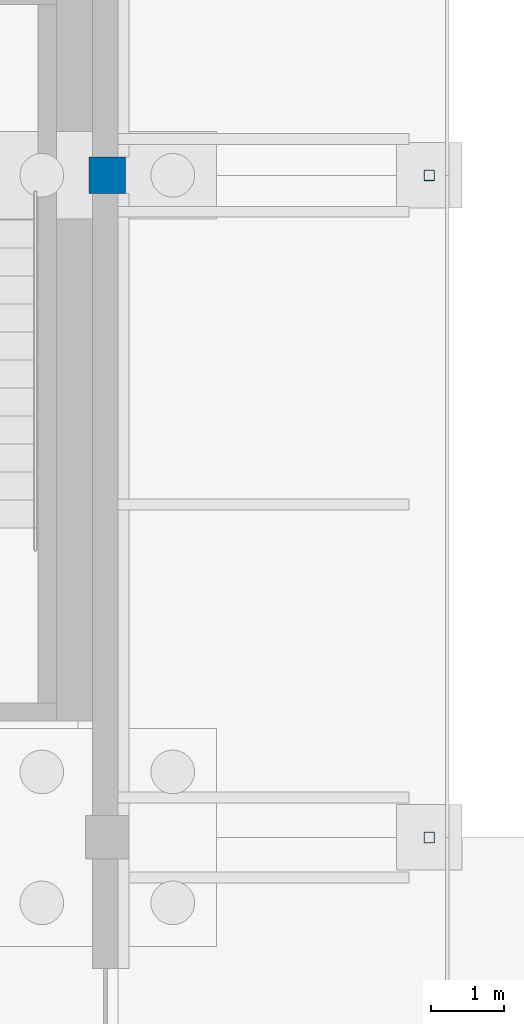
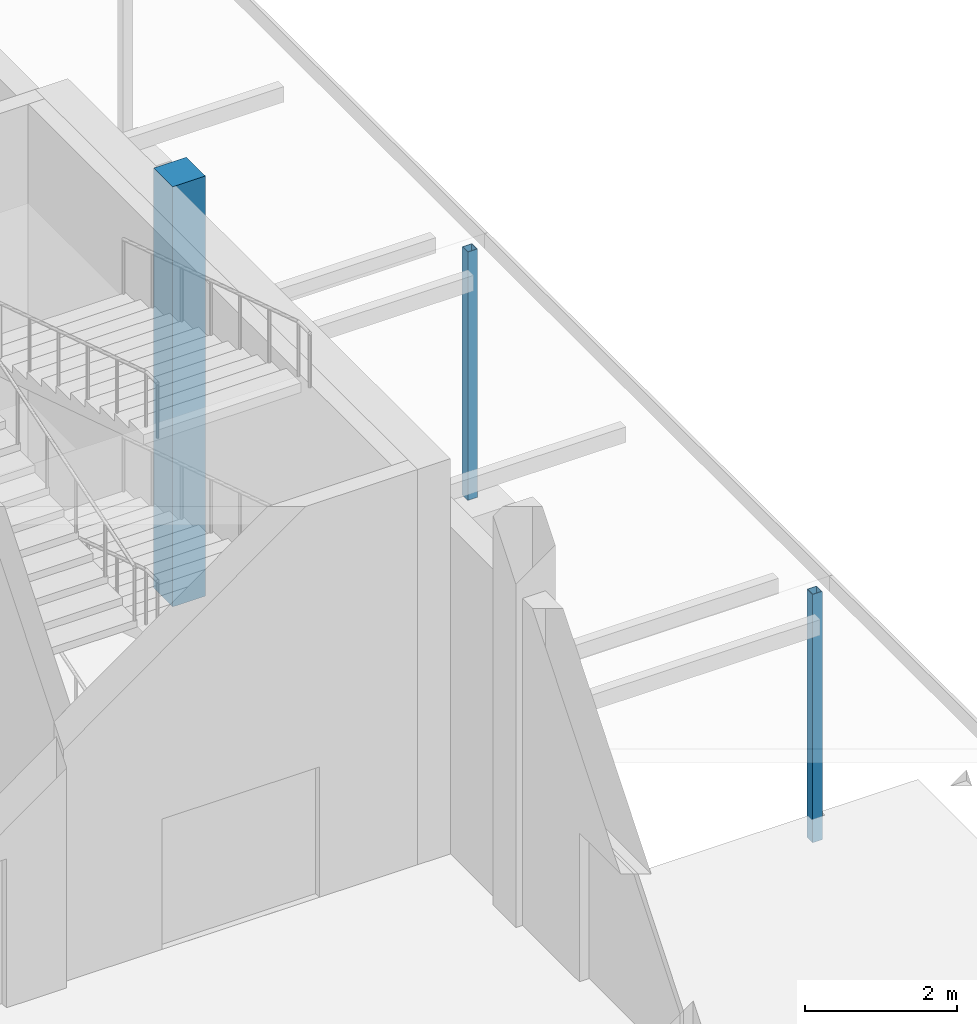
# One storey, part 38 of 129: 3 columns.
"""IFC4 building model written with IfcOpenShell, lengths in metres."""

from ifc_helpers import new_model, si_unit, direction, frame, origin, origin_2d, place, context, subcontext, project, spatial, rectangle, hollow_rectangle, extrude, material, material_profile, profile_set, type_object, element, save


model = new_model("IFC4")

# Units and contexts
model_context = context("Model", 3, precision=1e-05, world=origin(), true_north=direction((0.0, 1.0)))
body_context = subcontext(model_context, "Body", "Model", "MODEL_VIEW")
ifc_project = project(units=[si_unit("LENGTHUNIT", "METRE"), si_unit("AREAUNIT", "SQUARE_METRE"), si_unit("VOLUMEUNIT", "CUBIC_METRE"), si_unit("PLANEANGLEUNIT", "RADIAN"), si_unit("MASSUNIT", "GRAM", prefix="KILO")], contexts=[model_context])

# Site, building, storey
site_placement = place(None, origin())
site = spatial("IfcSite", under=ifc_project, at=site_placement, CompositionType="ELEMENT")
building_placement = place(site_placement, origin())
building = spatial("IfcBuilding", under=site, at=building_placement, Name="Shirokan Park Arena", CompositionType="ELEMENT")
storey_placement = place(building_placement, origin())
storey = spatial("IfcBuildingStorey", under=building, at=storey_placement, Name="L00", CompositionType="ELEMENT", Elevation=0.0)

# Columns
ifc_material_1 = material(Name="Concrete C35", Category="concrete")
ifc_material_profile_1 = material_profile(ifc_material_1, rectangle(XDim=0.5, YDim=0.5, at=origin_2d()), Name="500x500")
ifc_profile_set_1 = profile_set([ifc_material_profile_1], Name="Concrete C35")
column_type_1 = type_object("IfcColumnType", Name="RC column 500x500", PredefinedType="COLUMN", material=ifc_profile_set_1)
column_placement = place(storey_placement, frame((145.60009765625, 27.300048828125, -0.39990234375), z_axis=(0.0, 0.0, 1.0), x_axis=(1.0, 0.0, 0.0)))
element("IfcColumn", 1, at=column_placement, inside=storey, type_object=column_type_1, Name="Column 17D L00", PredefinedType="COLUMN", context=body_context, shape_type="SweptSolid", body=[
    extrude(rectangle(XDim=0.5, YDim=0.5, at=origin_2d()), origin(), (0.0, 0.0, 1.0), 6.77001953125),
])
ifc_material_2 = material(Name="Steel S355", Category="steel")
ifc_material_profile_2 = material_profile(ifc_material_2, hollow_rectangle(XDim=0.14990234375, YDim=0.14990234375, WallThickness=0.008056640625, at=origin_2d()), Name="RHS 150x150x8")
ifc_profile_set_2 = profile_set([ifc_material_profile_2], Name="Steel S355")
column_type_2 = type_object("IfcColumnType", Name="Steel post RHS 150x150x8", PredefinedType="COLUMN", material=ifc_profile_set_2)
for number, where, z_axis, x_axis, name in (
    (2, (150.02490234375, 18.199951171875, -0.39990234375), (0.0, 0.0, 1.0), (1.0, 0.0, 0.0), "Canopy post east grid 3"),
    (3, (150.02490234375, 27.300048828125, -0.39990234375), (0.0, 0.0, 1.0), (1.0, 0.0, 0.0), "Canopy post east grid 4"),
):
    element("IfcColumn", number, at=place(storey_placement, frame(where, z_axis=z_axis, x_axis=x_axis)), inside=storey, type_object=column_type_2, Name=name, PredefinedType="COLUMN", context=body_context, shape_type="SweptSolid", body=[
        extrude(hollow_rectangle(XDim=0.14990234375, YDim=0.14990234375, WallThickness=0.008056640625, at=origin_2d()), origin(), (0.0, 0.0, 1.0), 4.0),
    ])

save(model, "model.ifc")
